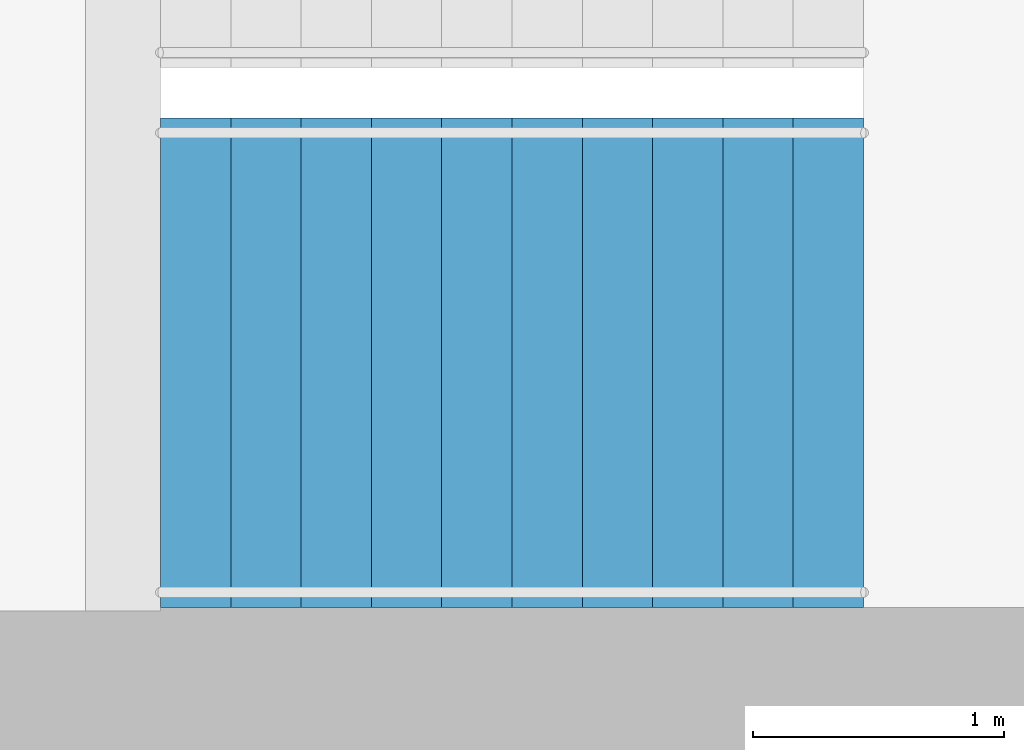
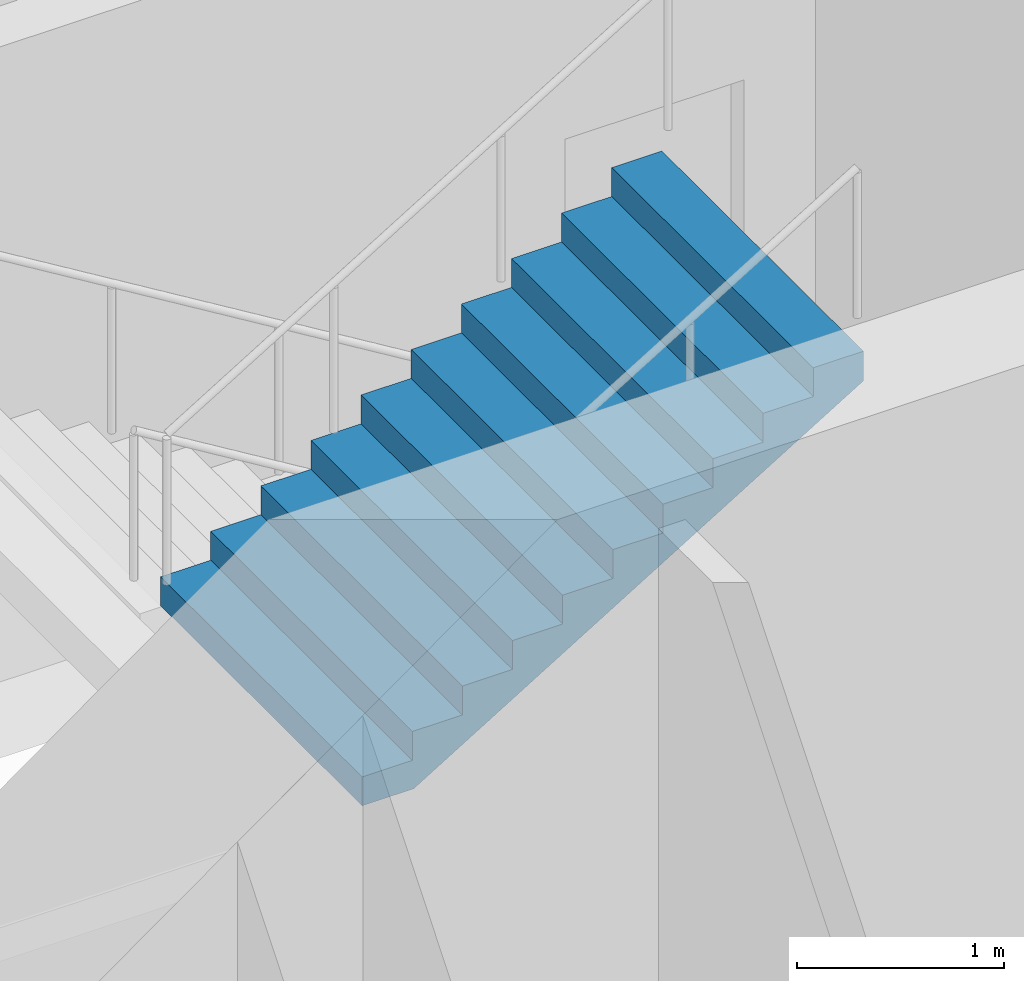
# One storey, part 22 of 26: 1 stair flight, 1 element without a shape of its own.
"""IFC4 building model written with IfcOpenShell, lengths in metres."""

from ifc_helpers import new_model, si_unit, direction, frame, origin, place, context, subcontext, project, spatial, triangles, material, type_object, element, aggregate, save


model = new_model("IFC4")

# Units and contexts
model_context = context("Model", 3, precision=1e-05, world=origin(), true_north=direction((0.0, 1.0)))
body_context = subcontext(model_context, "Body", "Model", "MODEL_VIEW")
ifc_project = project(units=[si_unit("LENGTHUNIT", "METRE"), si_unit("AREAUNIT", "SQUARE_METRE"), si_unit("VOLUMEUNIT", "CUBIC_METRE"), si_unit("PLANEANGLEUNIT", "RADIAN"), si_unit("MASSUNIT", "GRAM", prefix="KILO")], contexts=[model_context])

# Site, building, storey
site_placement = place(None, origin())
site = spatial("IfcSite", under=ifc_project, at=site_placement, CompositionType="ELEMENT")
building_placement = place(site_placement, origin())
building = spatial("IfcBuilding", under=site, at=building_placement, Name="Orbita Commons", CompositionType="ELEMENT")
storey_placement = place(building_placement, frame((0.0, 0.0, 231.550048828125)))
storey = spatial("IfcBuildingStorey", under=building, at=storey_placement, Name="L57", CompositionType="ELEMENT", Elevation=231.550048828125)

# Stair, stair flight
ifc_material_1 = material(Name="Precast concrete C40/50", Category="concrete")
stair_type = type_object("IfcStairType", Name="Exit stair S2 2 flights 11 risers 170", PredefinedType="HALF_TURN_STAIR", material=ifc_material_1)
stair_placement = place(storey_placement, origin())
stair = element("IfcStair", 1, at=stair_placement, inside=storey, type_object=stair_type, Name="Exit stair S2 L57", PredefinedType="HALF_TURN_STAIR")
ifc_material_2 = material(Name="Precast concrete C40/50", Category="concrete")
stair_flight_type = type_object("IfcStairFlightType", Name="Stair flight 11 risers 170 x 280", PredefinedType="STRAIGHT", material=ifc_material_2)
stair_flight_placement = place(storey_placement, frame((60.75, 27.125, 1.875), z_axis=(0.0, 0.0, 1.0), x_axis=(1.0, 0.0, 0.0)))
stair_flight = element("IfcStairFlight", 2, at=stair_flight_placement, type_object=stair_flight_type, Name="S2 flight 2", NumberOfRisers=11, NumberOfTreads=10, PredefinedType="STRAIGHT", RiserHeight=0.170454545, TreadLength=0.28, context=body_context, shape_type="Tessellation", body=[
    triangles([(0.0, 0.974976, 0.0), (0.0, 0.974976, 0.021307), (0.0, 0.81248, 0.021307), (0.0, 0.81248, 0.0), (0.0, 0.649984, 0.021307), (0.0, 0.649984, 0.0), (0.0, 0.487488, 0.021307), (0.0, 0.487488, 0.0), (0.0, 0.324992, 0.021307), (0.0, 0.324992, 0.0), (0.0, 0.162496, 0.021307), (0.0, 0.162496, 0.0), (0.0, 0.0, 0.021307), (0.0, 0.0, 0.0), (0.0, -0.162496, 0.021307), (0.0, -0.162496, 0.0), (0.0, -0.324992, 0.021307), (0.0, -0.324992, 0.0), (0.0, -0.487488, 0.021307), (0.0, -0.487488, 0.0), (0.0, -0.649984, 0.021307), (0.0, -0.649984, 0.0), (0.0, -0.81248, 0.021307), (0.0, -0.81248, 0.0), (0.0, -0.974976, 0.021307), (0.0, -0.974976, 0.0), (0.0, 0.974976, 0.042614), (0.0, 0.81248, 0.042614), (0.0, 0.649984, 0.042614), (0.0, 0.487488, 0.042614), (0.0, 0.324992, 0.042614), (0.0, 0.162496, 0.042614), (0.0, 0.0, 0.042614), (0.0, -0.162496, 0.042614), (0.0, -0.324992, 0.042614), (0.0, -0.487488, 0.042614), (0.0, -0.649984, 0.042614), (0.0, -0.81248, 0.042614), (0.0, -0.974976, 0.042614), (0.0, 0.974976, 0.06392), (0.0, 0.81248, 0.06392), (0.0, 0.649984, 0.06392), (0.0, 0.487488, 0.06392), (0.0, 0.324992, 0.06392), (0.0, 0.162496, 0.06392), (0.0, 0.0, 0.06392), (0.0, -0.162496, 0.06392), (0.0, -0.324992, 0.06392), (0.0, -0.487488, 0.06392), (0.0, -0.649984, 0.06392), (0.0, -0.81248, 0.06392), (0.0, -0.974976, 0.06392), (0.0, 0.974976, 0.085227), (0.0, 0.81248, 0.085227), (0.0, 0.649984, 0.085227), (0.0, 0.487488, 0.085227), (0.0, 0.324992, 0.085227), (0.0, 0.162496, 0.085227), (0.0, 0.0, 0.085227), (0.0, -0.162496, 0.085227), (0.0, -0.324992, 0.085227), (0.0, -0.487488, 0.085227), (0.0, -0.649984, 0.085227), (0.0, -0.81248, 0.085227), (0.0, -0.974976, 0.085227), (0.0, 0.974976, 0.106534), (0.0, 0.81248, 0.106534), (0.0, 0.649984, 0.106534), (0.0, 0.487488, 0.106534), (0.0, 0.324992, 0.106534), (0.0, 0.162496, 0.106534), (0.0, 0.0, 0.106534), (0.0, -0.162496, 0.106534), (0.0, -0.324992, 0.106534), (0.0, -0.487488, 0.106534), (0.0, -0.649984, 0.106534), (0.0, -0.81248, 0.106534), (0.0, -0.974976, 0.106534), (0.0, 0.974976, 0.127841), (0.0, 0.81248, 0.127841), (0.0, 0.649984, 0.127841), (0.0, 0.487488, 0.127841), (0.0, 0.324992, 0.127841), (0.0, 0.162496, 0.127841), (0.0, 0.0, 0.127841), (0.0, -0.162496, 0.127841), (0.0, -0.324992, 0.127841), (0.0, -0.487488, 0.127841), (0.0, -0.649984, 0.127841), (0.0, -0.81248, 0.127841), (0.0, -0.974976, 0.127841), (0.0, 0.974976, 0.149148), (0.0, 0.81248, 0.149148), (0.0, 0.649984, 0.149148), (0.0, 0.487488, 0.149148), (0.0, 0.324992, 0.149148), (0.0, 0.162496, 0.149148), (0.0, 0.0, 0.149148), (0.0, -0.162496, 0.149148), (0.0, -0.324992, 0.149148), (0.0, -0.487488, 0.149148), (0.0, -0.649984, 0.149148), (0.0, -0.81248, 0.149148), (0.0, -0.974976, 0.149148), (0.0, 0.974976, 0.170455), (0.0, 0.81248, 0.170455), (0.0, 0.649984, 0.170455), (0.0, 0.487488, 0.170455), (0.0, 0.324992, 0.170455), (0.0, 0.162496, 0.170455), (0.0, 0.0, 0.170455), (0.0, -0.162496, 0.170455), (0.0, -0.324992, 0.170455), (0.0, -0.487488, 0.170455), (0.0, -0.649984, 0.170455), (0.0, -0.81248, 0.170455), (0.0, -0.974976, 0.170455), (0.28, 0.974976, 0.170455), (0.28, 0.81248, 0.170455), (0.28, 0.649984, 0.170455), (0.28, 0.487488, 0.170455), (0.28, 0.324992, 0.170455), (0.28, 0.162496, 0.170455), (0.28, 0.0, 0.170455), (0.28, -0.162496, 0.170455), (0.28, -0.324992, 0.170455), (0.28, -0.487488, 0.170455), (0.28, -0.649984, 0.170455), (0.28, -0.81248, 0.170455), (0.28, -0.974976, 0.170455), (0.28, 0.974976, 0.340909), (0.28, 0.81248, 0.340909), (0.28, 0.649984, 0.340909), (0.28, 0.487488, 0.340909), (0.28, 0.324992, 0.340909), (0.28, 0.162496, 0.340909), (0.28, 0.0, 0.340909), (0.28, -0.162496, 0.340909), (0.28, -0.324992, 0.340909), (0.28, -0.487488, 0.340909), (0.28, -0.649984, 0.340909), (0.28, -0.81248, 0.340909), (0.28, -0.974976, 0.340909), (0.56, 0.974976, 0.340909), (0.56, 0.81248, 0.340909), (0.56, 0.649984, 0.340909), (0.56, 0.487488, 0.340909), (0.56, 0.324992, 0.340909), (0.56, 0.162496, 0.340909), (0.56, 0.0, 0.340909), (0.56, -0.162496, 0.340909), (0.56, -0.324992, 0.340909), (0.56, -0.487488, 0.340909), (0.56, -0.649984, 0.340909), (0.56, -0.81248, 0.340909), (0.56, -0.974976, 0.340909), (0.56, 0.974976, 0.511364), (0.56, 0.81248, 0.511364), (0.56, 0.649984, 0.511364), (0.56, 0.487488, 0.511364), (0.56, 0.324992, 0.511364), (0.56, 0.162496, 0.511364), (0.56, 0.0, 0.511364), (0.56, -0.162496, 0.511364), (0.56, -0.324992, 0.511364), (0.56, -0.487488, 0.511364), (0.56, -0.649984, 0.511364), (0.56, -0.81248, 0.511364), (0.56, -0.974976, 0.511364), (0.84, 0.974976, 0.511364), (0.84, 0.81248, 0.511364), (0.84, 0.649984, 0.511364), (0.84, 0.487488, 0.511364), (0.84, 0.324992, 0.511364), (0.84, 0.162496, 0.511364), (0.84, 0.0, 0.511364), (0.84, -0.162496, 0.511364), (0.84, -0.324992, 0.511364), (0.84, -0.487488, 0.511364), (0.84, -0.649984, 0.511364), (0.84, -0.81248, 0.511364), (0.84, -0.974976, 0.511364), (0.84, 0.974976, 0.681818), (0.84, 0.81248, 0.681818), (0.84, 0.649984, 0.681818), (0.84, 0.487488, 0.681818), (0.84, 0.324992, 0.681818), (0.84, 0.162496, 0.681818), (0.84, 0.0, 0.681818), (0.84, -0.162496, 0.681818), (0.84, -0.324992, 0.681818), (0.84, -0.487488, 0.681818), (0.84, -0.649984, 0.681818), (0.84, -0.81248, 0.681818), (0.84, -0.974976, 0.681818), (1.12, 0.974976, 0.681818), (1.12, 0.81248, 0.681818), (1.12, 0.649984, 0.681818), (1.12, 0.487488, 0.681818), (1.12, 0.324992, 0.681818), (1.12, 0.162496, 0.681818), (1.12, 0.0, 0.681818), (1.12, -0.162496, 0.681818), (1.12, -0.324992, 0.681818), (1.12, -0.487488, 0.681818), (1.12, -0.649984, 0.681818), (1.12, -0.81248, 0.681818), (1.12, -0.974976, 0.681818), (1.12, 0.974976, 0.852273), (1.12, 0.81248, 0.852273), (1.12, 0.649984, 0.852273), (1.12, 0.487488, 0.852273), (1.12, 0.324992, 0.852273), (1.12, 0.162496, 0.852273), (1.12, 0.0, 0.852273), (1.12, -0.162496, 0.852273), (1.12, -0.324992, 0.852273), (1.12, -0.487488, 0.852273), (1.12, -0.649984, 0.852273), (1.12, -0.81248, 0.852273), (1.12, -0.974976, 0.852273), (1.4, 0.974976, 0.852273), (1.4, 0.81248, 0.852273), (1.4, 0.649984, 0.852273), (1.4, 0.487488, 0.852273), (1.4, 0.324992, 0.852273), (1.4, 0.162496, 0.852273), (1.4, 0.0, 0.852273), (1.4, -0.162496, 0.852273), (1.4, -0.324992, 0.852273), (1.4, -0.487488, 0.852273), (1.4, -0.649984, 0.852273), (1.4, -0.81248, 0.852273), (1.4, -0.974976, 0.852273), (1.4, 0.974976, 1.022727), (1.4, 0.81248, 1.022727), (1.4, 0.649984, 1.022727), (1.4, 0.487488, 1.022727), (1.4, 0.324992, 1.022727), (1.4, 0.162496, 1.022727), (1.4, 0.0, 1.022727), (1.4, -0.162496, 1.022727), (1.4, -0.324992, 1.022727), (1.4, -0.487488, 1.022727), (1.4, -0.649984, 1.022727), (1.4, -0.81248, 1.022727), (1.4, -0.974976, 1.022727), (1.68, 0.974976, 1.022727), (1.68, 0.81248, 1.022727), (1.68, 0.649984, 1.022727), (1.68, 0.487488, 1.022727), (1.68, 0.324992, 1.022727), (1.68, 0.162496, 1.022727), (1.68, 0.0, 1.022727), (1.68, -0.162496, 1.022727), (1.68, -0.324992, 1.022727), (1.68, -0.487488, 1.022727), (1.68, -0.649984, 1.022727), (1.68, -0.81248, 1.022727), (1.68, -0.974976, 1.022727), (1.68, 0.974976, 1.193182), (1.68, 0.81248, 1.193182), (1.68, 0.649984, 1.193182), (1.68, 0.487488, 1.193182), (1.68, 0.324992, 1.193182), (1.68, 0.162496, 1.193182), (1.68, 0.0, 1.193182), (1.68, -0.162496, 1.193182), (1.68, -0.324992, 1.193182), (1.68, -0.487488, 1.193182), (1.68, -0.649984, 1.193182), (1.68, -0.81248, 1.193182), (1.68, -0.974976, 1.193182), (1.96, 0.974976, 1.193182), (1.96, 0.81248, 1.193182), (1.96, 0.649984, 1.193182), (1.96, 0.487488, 1.193182), (1.96, 0.324992, 1.193182), (1.96, 0.162496, 1.193182), (1.96, 0.0, 1.193182), (1.96, -0.162496, 1.193182), (1.96, -0.324992, 1.193182), (1.96, -0.487488, 1.193182), (1.96, -0.649984, 1.193182), (1.96, -0.81248, 1.193182), (1.96, -0.974976, 1.193182), (1.96, 0.974976, 1.363636), (1.96, 0.81248, 1.363636), (1.96, 0.649984, 1.363636), (1.96, 0.487488, 1.363636), (1.96, 0.324992, 1.363636), (1.96, 0.162496, 1.363636), (1.96, 0.0, 1.363636), (1.96, -0.162496, 1.363636), (1.96, -0.324992, 1.363636), (1.96, -0.487488, 1.363636), (1.96, -0.649984, 1.363636), (1.96, -0.81248, 1.363636), (1.96, -0.974976, 1.363636), (2.24, 0.974976, 1.363636), (2.24, 0.81248, 1.363636), (2.24, 0.649984, 1.363636), (2.24, 0.487488, 1.363636), (2.24, 0.324992, 1.363636), (2.24, 0.162496, 1.363636), (2.24, 0.0, 1.363636), (2.24, -0.162496, 1.363636), (2.24, -0.324992, 1.363636), (2.24, -0.487488, 1.363636), (2.24, -0.649984, 1.363636), (2.24, -0.81248, 1.363636), (2.24, -0.974976, 1.363636), (2.24, 0.974976, 1.534091), (2.24, 0.81248, 1.534091), (2.24, 0.649984, 1.534091), (2.24, 0.487488, 1.534091), (2.24, 0.324992, 1.534091), (2.24, 0.162496, 1.534091), (2.24, 0.0, 1.534091), (2.24, -0.162496, 1.534091), (2.24, -0.324992, 1.534091), (2.24, -0.487488, 1.534091), (2.24, -0.649984, 1.534091), (2.24, -0.81248, 1.534091), (2.24, -0.974976, 1.534091), (2.52, 0.974976, 1.534091), (2.52, 0.81248, 1.534091), (2.52, 0.649984, 1.534091), (2.52, 0.487488, 1.534091), (2.52, 0.324992, 1.534091), (2.52, 0.162496, 1.534091), (2.52, 0.0, 1.534091), (2.52, -0.162496, 1.534091), (2.52, -0.324992, 1.534091), (2.52, -0.487488, 1.534091), (2.52, -0.649984, 1.534091), (2.52, -0.81248, 1.534091), (2.52, -0.974976, 1.534091), (2.52, 0.974976, 1.704545), (2.52, 0.81248, 1.704545), (2.52, 0.649984, 1.704545), (2.52, 0.487488, 1.704545), (2.52, 0.324992, 1.704545), (2.52, 0.162496, 1.704545), (2.52, 0.0, 1.704545), (2.52, -0.162496, 1.704545), (2.52, -0.324992, 1.704545), (2.52, -0.487488, 1.704545), (2.52, -0.649984, 1.704545), (2.52, -0.81248, 1.704545), (2.52, -0.974976, 1.704545), (2.8, 0.974976, 1.704545), (2.8, 0.81248, 1.704545), (2.8, 0.649984, 1.704545), (2.8, 0.487488, 1.704545), (2.8, 0.324992, 1.704545), (2.8, 0.162496, 1.704545), (2.8, 0.0, 1.704545), (2.8, -0.162496, 1.704545), (2.8, -0.324992, 1.704545), (2.8, -0.487488, 1.704545), (2.8, -0.649984, 1.704545), (2.8, -0.81248, 1.704545), (2.8, -0.974976, 1.704545), (2.8, 0.974976, 1.682609), (2.8, 0.81248, 1.682609), (2.8, 0.649984, 1.682609), (2.8, 0.487488, 1.682609), (2.8, 0.324992, 1.682609), (2.8, 0.162496, 1.682609), (2.8, 0.0, 1.682609), (2.8, -0.162496, 1.682609), (2.8, -0.324992, 1.682609), (2.8, -0.487488, 1.682609), (2.8, -0.649984, 1.682609), (2.8, -0.81248, 1.682609), (2.8, -0.974976, 1.682609), (2.8, 0.974976, 1.660672), (2.8, 0.81248, 1.660672), (2.8, 0.649984, 1.660672), (2.8, 0.487488, 1.660672), (2.8, 0.324992, 1.660672), (2.8, 0.162496, 1.660672), (2.8, 0.0, 1.660672), (2.8, -0.162496, 1.660672), (2.8, -0.324992, 1.660672), (2.8, -0.487488, 1.660672), (2.8, -0.649984, 1.660672), (2.8, -0.81248, 1.660672), (2.8, -0.974976, 1.660672), (2.8, 0.974976, 1.638735), (2.8, 0.81248, 1.638735), (2.8, 0.649984, 1.638735), (2.8, 0.487488, 1.638735), (2.8, 0.324992, 1.638735), (2.8, 0.162496, 1.638735), (2.8, 0.0, 1.638735), (2.8, -0.162496, 1.638735), (2.8, -0.324992, 1.638735), (2.8, -0.487488, 1.638735), (2.8, -0.649984, 1.638735), (2.8, -0.81248, 1.638735), (2.8, -0.974976, 1.638735), (2.8, 0.974976, 1.616798), (2.8, 0.81248, 1.616798), (2.8, 0.649984, 1.616798), (2.8, 0.487488, 1.616798), (2.8, 0.324992, 1.616798), (2.8, 0.162496, 1.616798), (2.8, 0.0, 1.616798), (2.8, -0.162496, 1.616798), (2.8, -0.324992, 1.616798), (2.8, -0.487488, 1.616798), (2.8, -0.649984, 1.616798), (2.8, -0.81248, 1.616798), (2.8, -0.974976, 1.616798), (2.8, 0.974976, 1.594861), (2.8, 0.81248, 1.594861), (2.8, 0.649984, 1.594861), (2.8, 0.487488, 1.594861), (2.8, 0.324992, 1.594861), (2.8, 0.162496, 1.594861), (2.8, 0.0, 1.594861), (2.8, -0.162496, 1.594861), (2.8, -0.324992, 1.594861), (2.8, -0.487488, 1.594861), (2.8, -0.649984, 1.594861), (2.8, -0.81248, 1.594861), (2.8, -0.974976, 1.594861), (2.8, 0.974976, 1.572925), (2.8, 0.81248, 1.572925), (2.8, 0.649984, 1.572925), (2.8, 0.487488, 1.572925), (2.8, 0.324992, 1.572925), (2.8, 0.162496, 1.572925), (2.8, 0.0, 1.572925), (2.8, -0.162496, 1.572925), (2.8, -0.324992, 1.572925), (2.8, -0.487488, 1.572925), (2.8, -0.649984, 1.572925), (2.8, -0.81248, 1.572925), (2.8, -0.974976, 1.572925), (2.8, 0.974976, 1.550988), (2.8, 0.81248, 1.550988), (2.8, 0.649984, 1.550988), (2.8, 0.487488, 1.550988), (2.8, 0.324992, 1.550988), (2.8, 0.162496, 1.550988), (2.8, 0.0, 1.550988), (2.8, -0.162496, 1.550988), (2.8, -0.324992, 1.550988), (2.8, -0.487488, 1.550988), (2.8, -0.649984, 1.550988), (2.8, -0.81248, 1.550988), (2.8, -0.974976, 1.550988), (2.8, 0.974976, 1.529051), (2.8, 0.81248, 1.529051), (2.8, 0.649984, 1.529051), (2.8, 0.487488, 1.529051), (2.8, 0.324992, 1.529051), (2.8, 0.162496, 1.529051), (2.8, 0.0, 1.529051), (2.8, -0.162496, 1.529051), (2.8, -0.324992, 1.529051), (2.8, -0.487488, 1.529051), (2.8, -0.649984, 1.529051), (2.8, -0.81248, 1.529051), (2.8, -0.974976, 1.529051), (0.288279, 0.974976, 0.0), (0.288279, 0.81248, 0.0), (0.288279, 0.649984, 0.0), (0.288279, 0.487488, 0.0), (0.288279, 0.324992, 0.0), (0.288279, 0.162496, 0.0), (0.288279, 0.0, 0.0), (0.288279, -0.162496, 0.0), (0.288279, -0.324992, 0.0), (0.288279, -0.487488, 0.0), (0.288279, -0.649984, 0.0), (0.288279, -0.81248, 0.0), (0.288279, -0.974976, 0.0)], [[3, 2, 1], [4, 3, 1], [5, 3, 4], [6, 5, 4], [7, 5, 6], [8, 7, 6], [9, 7, 8], [10, 9, 8], [11, 9, 10], [12, 11, 10], [13, 11, 12], [14, 13, 12], [15, 13, 14], [16, 15, 14], [17, 15, 16], [18, 17, 16], [19, 17, 18], [20, 19, 18], [21, 19, 20], [22, 21, 20], [23, 21, 22], [24, 23, 22], [25, 23, 24], [26, 25, 24], [28, 27, 2], [3, 28, 2], [29, 28, 3], [5, 29, 3], [30, 29, 5], [7, 30, 5], [31, 30, 7], [9, 31, 7], [32, 31, 9], [11, 32, 9], [33, 32, 11], [13, 33, 11], [34, 33, 13], [15, 34, 13], [35, 34, 15], [17, 35, 15], [36, 35, 17], [19, 36, 17], [37, 36, 19], [21, 37, 19], [38, 37, 21], [23, 38, 21], [39, 38, 23], [25, 39, 23], [41, 40, 27], [28, 41, 27], [42, 41, 28], [29, 42, 28], [43, 42, 29], [30, 43, 29], [44, 43, 30], [31, 44, 30], [45, 44, 31], [32, 45, 31], [46, 45, 32], [33, 46, 32], [47, 46, 33], [34, 47, 33], [48, 47, 34], [35, 48, 34], [49, 48, 35], [36, 49, 35], [50, 49, 36], [37, 50, 36], [51, 50, 37], [38, 51, 37], [52, 51, 38], [39, 52, 38], [54, 53, 40], [41, 54, 40], [55, 54, 41], [42, 55, 41], [56, 55, 42], [43, 56, 42], [57, 56, 43], [44, 57, 43], [58, 57, 44], [45, 58, 44], [59, 58, 45], [46, 59, 45], [60, 59, 46], [47, 60, 46], [61, 60, 47], [48, 61, 47], [62, 61, 48], [49, 62, 48], [63, 62, 49], [50, 63, 49], [64, 63, 50], [51, 64, 50], [65, 64, 51], [52, 65, 51], [67, 66, 53], [54, 67, 53], [68, 67, 54], [55, 68, 54], [69, 68, 55], [56, 69, 55], [70, 69, 56], [57, 70, 56], [71, 70, 57], [58, 71, 57], [72, 71, 58], [59, 72, 58], [73, 72, 59], [60, 73, 59], [74, 73, 60], [61, 74, 60], [75, 74, 61], [62, 75, 61], [76, 75, 62], [63, 76, 62], [77, 76, 63], [64, 77, 63], [78, 77, 64], [65, 78, 64], [80, 79, 66], [67, 80, 66], [81, 80, 67], [68, 81, 67], [82, 81, 68], [69, 82, 68], [83, 82, 69], [70, 83, 69], [84, 83, 70], [71, 84, 70], [85, 84, 71], [72, 85, 71], [86, 85, 72], [73, 86, 72], [87, 86, 73], [74, 87, 73], [88, 87, 74], [75, 88, 74], [89, 88, 75], [76, 89, 75], [90, 89, 76], [77, 90, 76], [91, 90, 77], [78, 91, 77], [93, 92, 79], [80, 93, 79], [94, 93, 80], [81, 94, 80], [95, 94, 81], [82, 95, 81], [96, 95, 82], [83, 96, 82], [97, 96, 83], [84, 97, 83], [98, 97, 84], [85, 98, 84], [99, 98, 85], [86, 99, 85], [100, 99, 86], [87, 100, 86], [101, 100, 87], [88, 101, 87], [102, 101, 88], [89, 102, 88], [103, 102, 89], [90, 103, 89], [104, 103, 90], [91, 104, 90], [106, 105, 92], [93, 106, 92], [107, 106, 93], [94, 107, 93], [108, 107, 94], [95, 108, 94], [109, 108, 95], [96, 109, 95], [110, 109, 96], [97, 110, 96], [111, 110, 97], [98, 111, 97], [112, 111, 98], [99, 112, 98], [113, 112, 99], [100, 113, 99], [114, 113, 100], [101, 114, 100], [115, 114, 101], [102, 115, 101], [116, 115, 102], [103, 116, 102], [117, 116, 103], [104, 117, 103], [119, 118, 105], [106, 119, 105], [120, 119, 106], [107, 120, 106], [121, 120, 107], [108, 121, 107], [122, 121, 108], [109, 122, 108], [123, 122, 109], [110, 123, 109], [124, 123, 110], [111, 124, 110], [125, 124, 111], [112, 125, 111], [126, 125, 112], [113, 126, 112], [127, 126, 113], [114, 127, 113], [128, 127, 114], [115, 128, 114], [129, 128, 115], [116, 129, 115], [130, 129, 116], [117, 130, 116], [132, 131, 118], [119, 132, 118], [133, 132, 119], [120, 133, 119], [134, 133, 120], [121, 134, 120], [135, 134, 121], [122, 135, 121], [136, 135, 122], [123, 136, 122], [137, 136, 123], [124, 137, 123], [138, 137, 124], [125, 138, 124], [139, 138, 125], [126, 139, 125], [140, 139, 126], [127, 140, 126], [141, 140, 127], [128, 141, 127], [142, 141, 128], [129, 142, 128], [143, 142, 129], [130, 143, 129], [145, 144, 131], [132, 145, 131], [146, 145, 132], [133, 146, 132], [147, 146, 133], [134, 147, 133], [148, 147, 134], [135, 148, 134], [149, 148, 135], [136, 149, 135], [150, 149, 136], [137, 150, 136], [151, 150, 137], [138, 151, 137], [152, 151, 138], [139, 152, 138], [153, 152, 139], [140, 153, 139], [154, 153, 140], [141, 154, 140], [155, 154, 141], [142, 155, 141], [156, 155, 142], [143, 156, 142], [158, 157, 144], [145, 158, 144], [159, 158, 145], [146, 159, 145], [160, 159, 146], [147, 160, 146], [161, 160, 147], [148, 161, 147], [162, 161, 148], [149, 162, 148], [163, 162, 149], [150, 163, 149], [164, 163, 150], [151, 164, 150], [165, 164, 151], [152, 165, 151], [166, 165, 152], [153, 166, 152], [167, 166, 153], [154, 167, 153], [168, 167, 154], [155, 168, 154], [169, 168, 155], [156, 169, 155], [171, 170, 157], [158, 171, 157], [172, 171, 158], [159, 172, 158], [173, 172, 159], [160, 173, 159], [174, 173, 160], [161, 174, 160], [175, 174, 161], [162, 175, 161], [176, 175, 162], [163, 176, 162], [177, 176, 163], [164, 177, 163], [178, 177, 164], [165, 178, 164], [179, 178, 165], [166, 179, 165], [180, 179, 166], [167, 180, 166], [181, 180, 167], [168, 181, 167], [182, 181, 168], [169, 182, 168], [184, 183, 170], [171, 184, 170], [185, 184, 171], [172, 185, 171], [186, 185, 172], [173, 186, 172], [187, 186, 173], [174, 187, 173], [188, 187, 174], [175, 188, 174], [189, 188, 175], [176, 189, 175], [190, 189, 176], [177, 190, 176], [191, 190, 177], [178, 191, 177], [192, 191, 178], [179, 192, 178], [193, 192, 179], [180, 193, 179], [194, 193, 180], [181, 194, 180], [195, 194, 181], [182, 195, 181], [197, 196, 183], [184, 197, 183], [198, 197, 184], [185, 198, 184], [199, 198, 185], [186, 199, 185], [200, 199, 186], [187, 200, 186], [201, 200, 187], [188, 201, 187], [202, 201, 188], [189, 202, 188], [203, 202, 189], [190, 203, 189], [204, 203, 190], [191, 204, 190], [205, 204, 191], [192, 205, 191], [206, 205, 192], [193, 206, 192], [207, 206, 193], [194, 207, 193], [208, 207, 194], [195, 208, 194], [210, 209, 196], [197, 210, 196], [211, 210, 197], [198, 211, 197], [212, 211, 198], [199, 212, 198], [213, 212, 199], [200, 213, 199], [214, 213, 200], [201, 214, 200], [215, 214, 201], [202, 215, 201], [216, 215, 202], [203, 216, 202], [217, 216, 203], [204, 217, 203], [218, 217, 204], [205, 218, 204], [219, 218, 205], [206, 219, 205], [220, 219, 206], [207, 220, 206], [221, 220, 207], [208, 221, 207], [223, 222, 209], [210, 223, 209], [224, 223, 210], [211, 224, 210], [225, 224, 211], [212, 225, 211], [226, 225, 212], [213, 226, 212], [227, 226, 213], [214, 227, 213], [228, 227, 214], [215, 228, 214], [229, 228, 215], [216, 229, 215], [230, 229, 216], [217, 230, 216], [231, 230, 217], [218, 231, 217], [232, 231, 218], [219, 232, 218], [233, 232, 219], [220, 233, 219], [234, 233, 220], [221, 234, 220], [236, 235, 222], [223, 236, 222], [237, 236, 223], [224, 237, 223], [238, 237, 224], [225, 238, 224], [239, 238, 225], [226, 239, 225], [240, 239, 226], [227, 240, 226], [241, 240, 227], [228, 241, 227], [242, 241, 228], [229, 242, 228], [243, 242, 229], [230, 243, 229], [244, 243, 230], [231, 244, 230], [245, 244, 231], [232, 245, 231], [246, 245, 232], [233, 246, 232], [247, 246, 233], [234, 247, 233], [249, 248, 235], [236, 249, 235], [250, 249, 236], [237, 250, 236], [251, 250, 237], [238, 251, 237], [252, 251, 238], [239, 252, 238], [253, 252, 239], [240, 253, 239], [254, 253, 240], [241, 254, 240], [255, 254, 241], [242, 255, 241], [256, 255, 242], [243, 256, 242], [257, 256, 243], [244, 257, 243], [258, 257, 244], [245, 258, 244], [259, 258, 245], [246, 259, 245], [260, 259, 246], [247, 260, 246], [262, 261, 248], [249, 262, 248], [263, 262, 249], [250, 263, 249], [264, 263, 250], [251, 264, 250], [265, 264, 251], [252, 265, 251], [266, 265, 252], [253, 266, 252], [267, 266, 253], [254, 267, 253], [268, 267, 254], [255, 268, 254], [269, 268, 255], [256, 269, 255], [270, 269, 256], [257, 270, 256], [271, 270, 257], [258, 271, 257], [272, 271, 258], [259, 272, 258], [273, 272, 259], [260, 273, 259], [275, 274, 261], [262, 275, 261], [276, 275, 262], [263, 276, 262], [277, 276, 263], [264, 277, 263], [278, 277, 264], [265, 278, 264], [279, 278, 265], [266, 279, 265], [280, 279, 266], [267, 280, 266], [281, 280, 267], [268, 281, 267], [282, 281, 268], [269, 282, 268], [283, 282, 269], [270, 283, 269], [284, 283, 270], [271, 284, 270], [285, 284, 271], [272, 285, 271], [286, 285, 272], [273, 286, 272], [288, 287, 274], [275, 288, 274], [289, 288, 275], [276, 289, 275], [290, 289, 276], [277, 290, 276], [291, 290, 277], [278, 291, 277], [292, 291, 278], [279, 292, 278], [293, 292, 279], [280, 293, 279], [294, 293, 280], [281, 294, 280], [295, 294, 281], [282, 295, 281], [296, 295, 282], [283, 296, 282], [297, 296, 283], [284, 297, 283], [298, 297, 284], [285, 298, 284], [299, 298, 285], [286, 299, 285], [301, 300, 287], [288, 301, 287], [302, 301, 288], [289, 302, 288], [303, 302, 289], [290, 303, 289], [304, 303, 290], [291, 304, 290], [305, 304, 291], [292, 305, 291], [306, 305, 292], [293, 306, 292], [307, 306, 293], [294, 307, 293], [308, 307, 294], [295, 308, 294], [309, 308, 295], [296, 309, 295], [310, 309, 296], [297, 310, 296], [311, 310, 297], [298, 311, 297], [312, 311, 298], [299, 312, 298], [314, 313, 300], [301, 314, 300], [315, 314, 301], [302, 315, 301], [316, 315, 302], [303, 316, 302], [317, 316, 303], [304, 317, 303], [318, 317, 304], [305, 318, 304], [319, 318, 305], [306, 319, 305], [320, 319, 306], [307, 320, 306], [321, 320, 307], [308, 321, 307], [322, 321, 308], [309, 322, 308], [323, 322, 309], [310, 323, 309], [324, 323, 310], [311, 324, 310], [325, 324, 311], [312, 325, 311], [327, 326, 313], [314, 327, 313], [328, 327, 314], [315, 328, 314], [329, 328, 315], [316, 329, 315], [330, 329, 316], [317, 330, 316], [331, 330, 317], [318, 331, 317], [332, 331, 318], [319, 332, 318], [333, 332, 319], [320, 333, 319], [334, 333, 320], [321, 334, 320], [335, 334, 321], [322, 335, 321], [336, 335, 322], [323, 336, 322], [337, 336, 323], [324, 337, 323], [338, 337, 324], [325, 338, 324], [340, 339, 326], [327, 340, 326], [341, 340, 327], [328, 341, 327], [342, 341, 328], [329, 342, 328], [343, 342, 329], [330, 343, 329], [344, 343, 330], [331, 344, 330], [345, 344, 331], [332, 345, 331], [346, 345, 332], [333, 346, 332], [347, 346, 333], [334, 347, 333], [348, 347, 334], [335, 348, 334], [349, 348, 335], [336, 349, 335], [350, 349, 336], [337, 350, 336], [351, 350, 337], [338, 351, 337], [353, 352, 339], [340, 353, 339], [354, 353, 340], [341, 354, 340], [355, 354, 341], [342, 355, 341], [356, 355, 342], [343, 356, 342], [357, 356, 343], [344, 357, 343], [358, 357, 344], [345, 358, 344], [359, 358, 345], [346, 359, 345], [360, 359, 346], [347, 360, 346], [361, 360, 347], [348, 361, 347], [362, 361, 348], [349, 362, 348], [363, 362, 349], [350, 363, 349], [364, 363, 350], [351, 364, 350], [366, 365, 352], [353, 366, 352], [367, 366, 353], [354, 367, 353], [368, 367, 354], [355, 368, 354], [369, 368, 355], [356, 369, 355], [370, 369, 356], [357, 370, 356], [371, 370, 357], [358, 371, 357], [372, 371, 358], [359, 372, 358], [373, 372, 359], [360, 373, 359], [374, 373, 360], [361, 374, 360], [375, 374, 361], [362, 375, 361], [376, 375, 362], [363, 376, 362], [377, 376, 363], [364, 377, 363], [379, 378, 365], [366, 379, 365], [380, 379, 366], [367, 380, 366], [381, 380, 367], [368, 381, 367], [382, 381, 368], [369, 382, 368], [383, 382, 369], [370, 383, 369], [384, 383, 370], [371, 384, 370], [385, 384, 371], [372, 385, 371], [386, 385, 372], [373, 386, 372], [387, 386, 373], [374, 387, 373], [388, 387, 374], [375, 388, 374], [389, 388, 375], [376, 389, 375], [390, 389, 376], [377, 390, 376], [392, 391, 378], [379, 392, 378], [393, 392, 379], [380, 393, 379], [394, 393, 380], [381, 394, 380], [395, 394, 381], [382, 395, 381], [396, 395, 382], [383, 396, 382], [397, 396, 383], [384, 397, 383], [398, 397, 384], [385, 398, 384], [399, 398, 385], [386, 399, 385], [400, 399, 386], [387, 400, 386], [401, 400, 387], [388, 401, 387], [402, 401, 388], [389, 402, 388], [403, 402, 389], [390, 403, 389], [405, 404, 391], [392, 405, 391], [406, 405, 392], [393, 406, 392], [407, 406, 393], [394, 407, 393], [408, 407, 394], [395, 408, 394], [409, 408, 395], [396, 409, 395], [410, 409, 396], [397, 410, 396], [411, 410, 397], [398, 411, 397], [412, 411, 398], [399, 412, 398], [413, 412, 399], [400, 413, 399], [414, 413, 400], [401, 414, 400], [415, 414, 401], [402, 415, 401], [416, 415, 402], [403, 416, 402], [418, 417, 404], [405, 418, 404], [419, 418, 405], [406, 419, 405], [420, 419, 406], [407, 420, 406], [421, 420, 407], [408, 421, 407], [422, 421, 408], [409, 422, 408], [423, 422, 409], [410, 423, 409], [424, 423, 410], [411, 424, 410], [425, 424, 411], [412, 425, 411], [426, 425, 412], [413, 426, 412], [427, 426, 413], [414, 427, 413], [428, 427, 414], [415, 428, 414], [429, 428, 415], [416, 429, 415], [431, 430, 417], [418, 431, 417], [432, 431, 418], [419, 432, 418], [433, 432, 419], [420, 433, 419], [434, 433, 420], [421, 434, 420], [435, 434, 421], [422, 435, 421], [436, 435, 422], [423, 436, 422], [437, 436, 423], [424, 437, 423], [438, 437, 424], [425, 438, 424], [439, 438, 425], [426, 439, 425], [440, 439, 426], [427, 440, 426], [441, 440, 427], [428, 441, 427], [442, 441, 428], [429, 442, 428], [444, 443, 430], [431, 444, 430], [445, 444, 431], [432, 445, 431], [446, 445, 432], [433, 446, 432], [447, 446, 433], [434, 447, 433], [448, 447, 434], [435, 448, 434], [449, 448, 435], [436, 449, 435], [450, 449, 436], [437, 450, 436], [451, 450, 437], [438, 451, 437], [452, 451, 438], [439, 452, 438], [453, 452, 439], [440, 453, 439], [454, 453, 440], [441, 454, 440], [455, 454, 441], [442, 455, 441], [457, 456, 443], [444, 457, 443], [458, 457, 444], [445, 458, 444], [459, 458, 445], [446, 459, 445], [460, 459, 446], [447, 460, 446], [461, 460, 447], [448, 461, 447], [462, 461, 448], [449, 462, 448], [463, 462, 449], [450, 463, 449], [464, 463, 450], [451, 464, 450], [465, 464, 451], [452, 465, 451], [466, 465, 452], [453, 466, 452], [467, 466, 453], [454, 467, 453], [468, 467, 454], [455, 468, 454], [470, 469, 456], [457, 470, 456], [471, 470, 457], [458, 471, 457], [472, 471, 458], [459, 472, 458], [473, 472, 459], [460, 473, 459], [474, 473, 460], [461, 474, 460], [475, 474, 461], [462, 475, 461], [476, 475, 462], [463, 476, 462], [477, 476, 463], [464, 477, 463], [478, 477, 464], [465, 478, 464], [479, 478, 465], [466, 479, 465], [480, 479, 466], [467, 480, 466], [481, 480, 467], [468, 481, 467], [4, 1, 469], [470, 4, 469], [6, 4, 470], [471, 6, 470], [8, 6, 471], [472, 8, 471], [10, 8, 472], [473, 10, 472], [12, 10, 473], [474, 12, 473], [14, 12, 474], [475, 14, 474], [16, 14, 475], [476, 16, 475], [18, 16, 476], [477, 18, 476], [20, 18, 477], [478, 20, 477], [22, 20, 478], [479, 22, 478], [24, 22, 479], [480, 24, 479], [26, 24, 480], [481, 26, 480], [456, 469, 1], [26, 481, 468], [443, 456, 1], [26, 468, 455], [430, 443, 1], [26, 455, 442], [417, 430, 1], [26, 442, 429], [404, 417, 1], [26, 429, 416], [391, 404, 1], [26, 416, 403], [378, 391, 1], [26, 403, 390], [365, 378, 1], [26, 390, 377], [339, 352, 365], [377, 364, 351], [326, 339, 365], [377, 351, 338], [300, 313, 326], [338, 325, 312], [300, 326, 365], [377, 338, 312], [274, 287, 300], [312, 299, 286], [274, 300, 365], [377, 312, 286], [248, 261, 274], [286, 273, 260], [248, 274, 365], [377, 286, 260], [222, 235, 248], [260, 247, 234], [222, 248, 365], [377, 260, 234], [196, 209, 222], [234, 221, 208], [196, 222, 365], [377, 234, 208], [170, 183, 196], [208, 195, 182], [170, 196, 365], [377, 208, 182], [144, 157, 170], [182, 169, 156], [144, 170, 365], [377, 182, 156], [118, 131, 144], [156, 143, 130], [118, 144, 365], [377, 156, 130], [118, 365, 1], [26, 377, 130], [92, 105, 118], [130, 117, 104], [79, 92, 118], [130, 104, 91], [66, 79, 118], [130, 91, 78], [53, 66, 118], [130, 78, 65], [40, 53, 118], [130, 65, 52], [27, 40, 118], [130, 52, 39], [2, 27, 118], [130, 39, 25], [1, 2, 118], [130, 25, 26]], closed=True),
])
aggregate(stair, [stair_flight])

save(model, "model.ifc")
